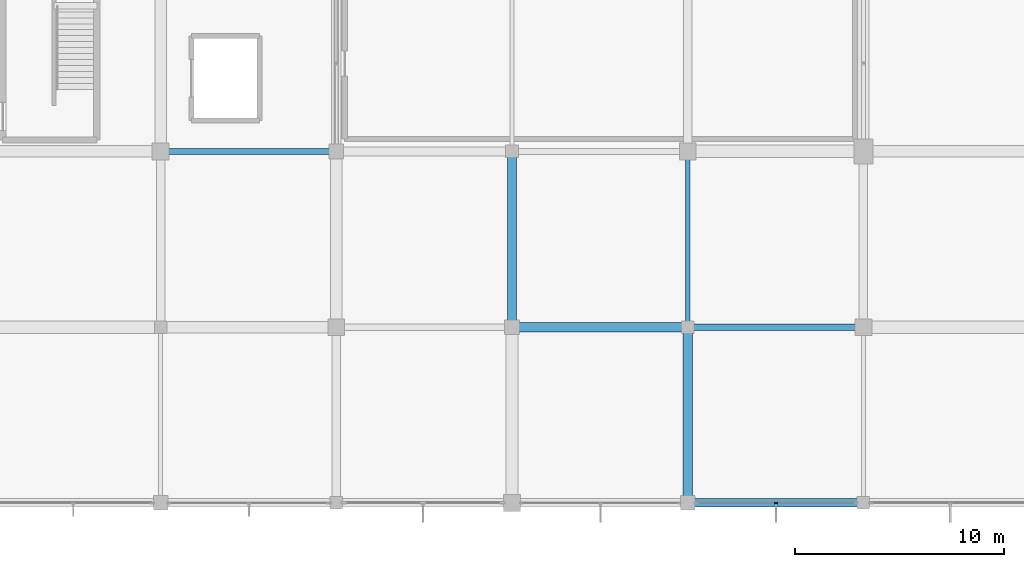
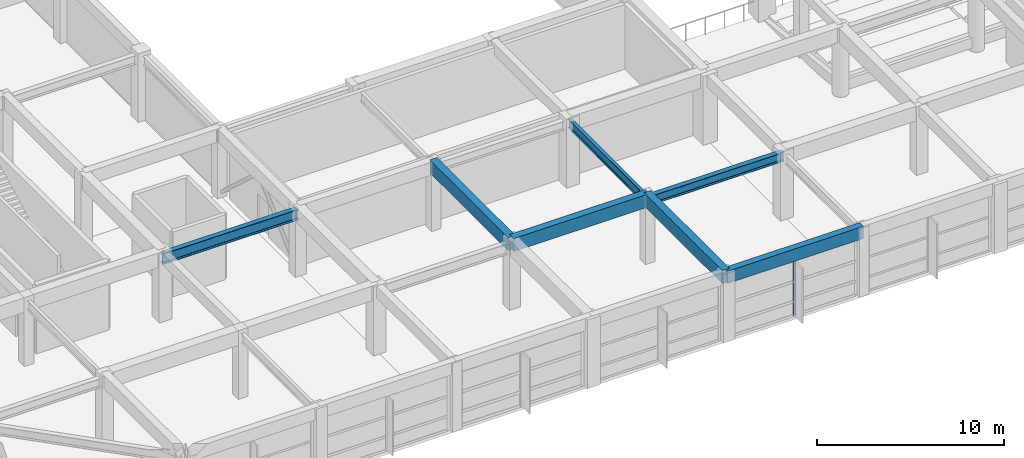
# One storey, part 14 of 62: 7 beams, 1 member, 1 element without a shape of its own.
"""IFC4 building model written with IfcOpenShell, lengths in metres."""

from ifc_helpers import new_model, si_unit, direction, frame, origin, origin_2d, place, context, subcontext, project, spatial, rectangle, i_section, extrude, material, material_profile, profile_set, type_object, element, aggregate, save


model = new_model("IFC4")

# Units and contexts
model_context = context("Model", 3, precision=1e-05, world=origin(), true_north=direction((0.0, 1.0)))
body_context = subcontext(model_context, "Body", "Model", "MODEL_VIEW")
ifc_project = project(units=[si_unit("LENGTHUNIT", "METRE"), si_unit("AREAUNIT", "SQUARE_METRE"), si_unit("VOLUMEUNIT", "CUBIC_METRE"), si_unit("PLANEANGLEUNIT", "RADIAN"), si_unit("MASSUNIT", "GRAM", prefix="KILO")], contexts=[model_context])

# Site, building, storey
site_placement = place(None, origin())
site = spatial("IfcSite", under=ifc_project, at=site_placement, CompositionType="ELEMENT")
building_placement = place(site_placement, origin())
building = spatial("IfcBuilding", under=site, at=building_placement, Name="Xuanlan Plaza Opera House", CompositionType="ELEMENT")
storey_placement = place(building_placement, frame((0.0, 0.0, 14.39990234375)))
storey = spatial("IfcBuildingStorey", under=building, at=storey_placement, Name="L03", CompositionType="ELEMENT", Elevation=14.39990234375)

# Curtain wall, member
ifc_material_1 = material(Name="Anodised Aluminium 6063-T6 and Low-E Glass", Category="aluminium")
curtain_wall_type = type_object("IfcCurtainWallType", Name="ENV-CW-CW-06", PredefinedType="USERDEFINED", material=ifc_material_1)
curtain_wall_placement = place(storey_placement, origin())
curtain_wall = element("IfcCurtainWall", 1, at=curtain_wall_placement, inside=storey, type_object=curtain_wall_type, Name="Acoustic Glazed Wall L03-007", ObjectType="ACOUSTIC GLAZED WALL", PredefinedType="USERDEFINED")
ifc_material_2 = material(Name="Anodised Aluminium 6063-T6", Category="aluminium")
ifc_material_profile_1 = material_profile(ifc_material_2, rectangle(XDim=0.070068359375, YDim=0.179931640625, at=origin_2d()), Name="ALU-M 70x180")
ifc_profile_set_1 = profile_set([ifc_material_profile_1], Name="Anodised Aluminium 6063-T6")
member_type = type_object("IfcMemberType", Name="ENV-CWM-02", PredefinedType="MULLION", material=ifc_profile_set_1)
member_placement = place(storey_placement, frame((63.02490234375, 16.800048828125, 0.0), z_axis=(0.0, 0.0, 1.0), x_axis=(0.0, 1.0, 0.0)))
member = element("IfcMember", 2, at=member_placement, type_object=member_type, Name="CW-06 mullion 2", PredefinedType="MULLION", context=body_context, shape_type="SweptSolid", body=[
    extrude(rectangle(XDim=0.070068359375, YDim=0.179931640625, at=origin_2d()), origin(), (0.0, 0.0, 1.0), 3.68017578125),
])
aggregate(curtain_wall, [member])

# Beams
ifc_material_3 = material(Name="Concrete C40", Category="concrete")
ifc_material_profile_2 = material_profile(ifc_material_3, rectangle(XDim=0.449951171875, YDim=0.85009765625, at=origin_2d()), Name="RC-BM 450x850")
ifc_profile_set_2 = profile_set([ifc_material_profile_2], Name="Concrete C40")
beam_type_1 = type_object("IfcBeamType", Name="STR-BM-B-04", PredefinedType="BEAM", material=ifc_profile_set_2)
for number, where, z_axis, x_axis, name in (
    (3, (50.39990234375, 25.199951171875, 4.0751953125), (1.0, 0.0, 0.0), (0.0, 1.0, 0.0), "Grid Beam X L03 7-8/D"),
    (4, (50.39990234375, 25.199951171875, 4.0751953125), (0.0, 1.0, 0.0), (-1.0, 0.0, 0.0), "Grid Beam Y L03 7/D-E"),
):
    element("IfcBeam", number, at=place(storey_placement, frame(where, z_axis=z_axis, x_axis=x_axis)), inside=storey, type_object=beam_type_1, Name=name, PredefinedType="BEAM", context=body_context, shape_type="SweptSolid", body=[
        extrude(rectangle(XDim=0.449951171875, YDim=0.85009765625, at=origin_2d()), origin(), (0.0, 0.0, 1.0), 8.400146484375),
    ])
beam_1_placement = place(storey_placement, frame((58.800048828125, 16.800048828125, 4.0751953125), z_axis=(0.0, 1.0, 0.0), x_axis=(-1.0, 0.0, 0.0)))
element("IfcBeam", 5, at=beam_1_placement, inside=storey, type_object=beam_type_1, Name="Grid Beam Y L03 8/C-D", PredefinedType="BEAM", context=body_context, shape_type="SweptSolid", body=[
    extrude(rectangle(XDim=0.449951171875, YDim=0.85009765625, at=origin_2d()), origin(), (0.0, 0.0, 1.0), 8.39990234375),
])
ifc_material_4 = material(Name="Steel Q355B", Category="steel")
ifc_material_profile_3 = material_profile(ifc_material_4, i_section(OverallWidth=0.300048828125, OverallDepth=0.699951171875, WebThickness=0.012939453125, FlangeThickness=0.02392578125, FilletRadius=0.02392578125, at=origin_2d()), Name="HN 700x300x13x24")
ifc_profile_set_3 = profile_set([ifc_material_profile_3], Name="Steel Q355B")
beam_type_2 = type_object("IfcBeamType", Name="STR-BM-SB-03", PredefinedType="BEAM", material=ifc_profile_set_3)
beam_2_placement = place(storey_placement, frame((33.60009765625, 33.60009765625, 3.885009765625), z_axis=(1.0, 0.0, 0.0), x_axis=(0.0, 1.0, 0.0)))
element("IfcBeam", 6, at=beam_2_placement, inside=storey, type_object=beam_type_2, Name="Grid Beam X L03 5-6/E", PredefinedType="BEAM", context=body_context, shape_type="SweptSolid", body=[
    extrude(i_section(OverallWidth=0.300048828125, OverallDepth=0.699951171875, WebThickness=0.012939453125, FlangeThickness=0.02392578125, FilletRadius=0.02392578125, at=origin_2d()), origin(), (0.0, 0.0, 1.0), 8.39990234375),
])
ifc_material_profile_4 = material_profile(ifc_material_4, i_section(OverallWidth=0.199951171875, OverallDepth=0.60009765625, WebThickness=0.010986328125, FlangeThickness=0.01708984375, FilletRadius=0.02197265625, at=origin_2d()), Name="HN 600x200x11x17")
ifc_profile_set_4 = profile_set([ifc_material_profile_4], Name="Steel Q355B")
beam_type_3 = type_object("IfcBeamType", Name="STR-BM-SB-04", PredefinedType="BEAM", material=ifc_profile_set_4)
beam_3_placement = place(storey_placement, frame((58.800048828125, 25.199951171875, 3.93505859375), z_axis=(0.0, 1.0, 0.0), x_axis=(-1.0, 0.0, 0.0)))
element("IfcBeam", 7, at=beam_3_placement, inside=storey, type_object=beam_type_3, Name="Grid Beam Y L03 8/D-E", PredefinedType="BEAM", context=body_context, shape_type="SweptSolid", body=[
    extrude(i_section(OverallWidth=0.199951171875, OverallDepth=0.60009765625, WebThickness=0.010986328125, FlangeThickness=0.01708984375, FilletRadius=0.02197265625, at=origin_2d()), origin(), (0.0, 0.0, 1.0), 8.400146484375),
])
ifc_material_profile_5 = material_profile(ifc_material_4, i_section(OverallWidth=0.300048828125, OverallDepth=0.587890625, WebThickness=0.011962890625, FlangeThickness=0.02001953125, FilletRadius=0.02392578125, at=origin_2d()), Name="HM 588x300x12x20")
ifc_profile_set_5 = profile_set([ifc_material_profile_5], Name="Steel Q355B")
beam_type_4 = type_object("IfcBeamType", Name="STR-BM-SB-06", PredefinedType="BEAM", material=ifc_profile_set_5)
beam_4_placement = place(storey_placement, frame((58.800048828125, 25.199951171875, 3.941162109375), z_axis=(1.0, 0.0, 0.0), x_axis=(0.0, 1.0, 0.0)))
element("IfcBeam", 8, at=beam_4_placement, inside=storey, type_object=beam_type_4, Name="Grid Beam X L03 8-9/D", PredefinedType="BEAM", context=body_context, shape_type="SweptSolid", body=[
    extrude(i_section(OverallWidth=0.300048828125, OverallDepth=0.587890625, WebThickness=0.011962890625, FlangeThickness=0.02001953125, FilletRadius=0.02392578125, at=origin_2d()), origin(), (0.0, 0.0, 1.0), 8.39990234375),
])
ifc_material_profile_6 = material_profile(ifc_material_3, rectangle(XDim=0.39990234375, YDim=0.800048828125, at=origin_2d()), Name="RC-SPD 400x800")
ifc_profile_set_6 = profile_set([ifc_material_profile_6], Name="Concrete C40")
beam_type_5 = type_object("IfcBeamType", Name="STR-BM-SP-01", PredefinedType="SPANDREL", material=ifc_profile_set_6)
beam_5_placement = place(storey_placement, frame((58.800048828125, 16.800048828125, 4.10009765625), z_axis=(1.0, 0.0, 0.0), x_axis=(0.0, 1.0, 0.0)))
element("IfcBeam", 9, at=beam_5_placement, inside=storey, type_object=beam_type_5, Name="Grid Beam X L03 8-9/C", PredefinedType="SPANDREL", context=body_context, shape_type="SweptSolid", body=[
    extrude(rectangle(XDim=0.39990234375, YDim=0.800048828125, at=origin_2d()), origin(), (0.0, 0.0, 1.0), 8.39990234375),
])

save(model, "model.ifc")
